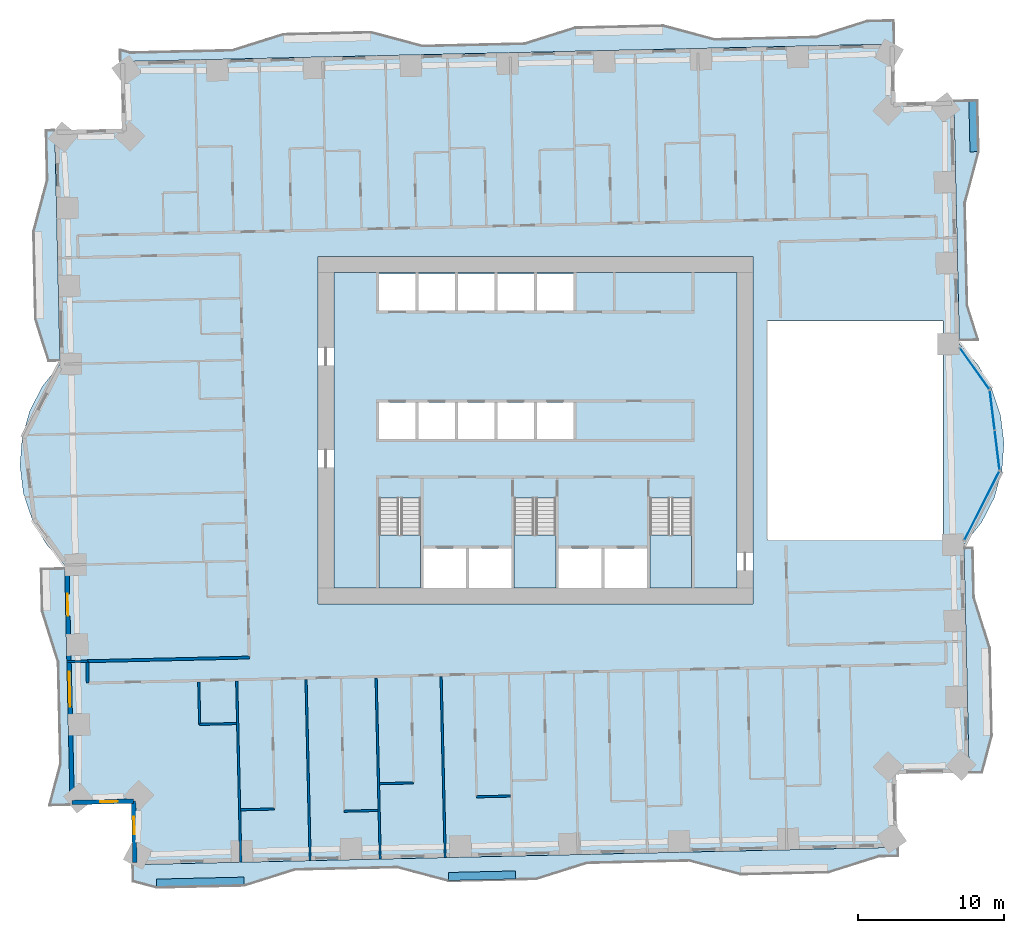
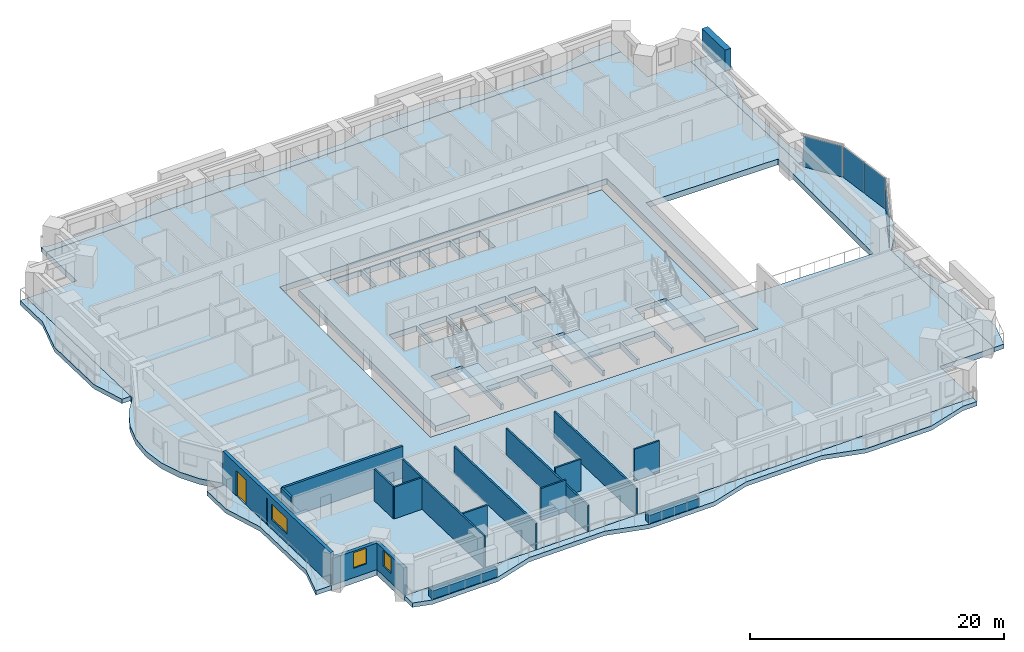
# One storey, part 4 of 16: 18 walls, 11 slabs, 4 plates, 3 windows, 1 door, 1 member, 4 openings, 6 elements without a shape of their own.
"""IFC4 building model written with IfcOpenShell, lengths in metres."""

from ifc_helpers import new_model, si_unit, direction, frame, frame_2d, origin, origin_2d, place, context, subcontext, project, spatial, polyline, rectangle, outline, extrude, material, layer, layer_set, material_profile, profile_set, type_object, element, fill, aggregate, save


model = new_model("IFC4")

# Units and contexts
model_context = context("Model", 3, precision=1e-05, world=origin(), true_north=direction((0.0, 1.0)))
body_context = subcontext(model_context, "Body", "Model", "MODEL_VIEW")
ifc_project = project(units=[si_unit("LENGTHUNIT", "METRE"), si_unit("AREAUNIT", "SQUARE_METRE"), si_unit("VOLUMEUNIT", "CUBIC_METRE"), si_unit("PLANEANGLEUNIT", "RADIAN"), si_unit("MASSUNIT", "GRAM", prefix="KILO")], contexts=[model_context])

# Site, building, storey
site_placement = place(None, origin())
site = spatial("IfcSite", under=ifc_project, at=site_placement, CompositionType="ELEMENT")
building_placement = place(site_placement, origin())
building = spatial("IfcBuilding", under=site, at=building_placement, Name="Mangrove Gate Tower", CompositionType="ELEMENT")
storey_placement = place(building_placement, frame((0.0, 0.0, 44.89990234375)))
storey = spatial("IfcBuildingStorey", under=building, at=storey_placement, Name="L10", CompositionType="ELEMENT", Elevation=44.89990234375)

# Member
ifc_material_1 = material(Name="Planting on aluminium trellis", Category="aluminium")
ifc_material_profile = material_profile(ifc_material_1, rectangle(XDim=0.550048828125, YDim=2.0, at=origin_2d()))
ifc_profile_set = profile_set([ifc_material_profile], Name="Planting on aluminium trellis")
member_type = type_object("IfcMemberType", Name="Balcony greenery screen 550x2000", PredefinedType="USERDEFINED", material=ifc_profile_set)
member_placement = place(storey_placement, frame((30.037109375, 19.072998046875, 1.800048828125), z_axis=(-0.022600979566, 0.999744565238, 0.0), x_axis=(-0.999744565238, -0.022600979566, 0.0)))
element("IfcMember", 1, at=member_placement, inside=storey, type_object=member_type, Name="GREEN SCREEN L10 E1.1", ObjectType="PLANTING", PredefinedType="USERDEFINED", context=body_context, shape_type="SweptSolid", body=[
    extrude(rectangle(XDim=0.550048828125, YDim=2.0, at=origin_2d()), origin(), (0.0, 0.0, 1.0), 3.5),
])

# Curtain wall, plate
ifc_material_2 = material(Name="Aluminium and glass curtain wall", Category="aluminium")
curtain_wall_type = type_object("IfcCurtainWallType", Name="Atrium garden-court glazing wall", PredefinedType="NOTDEFINED", material=ifc_material_2)
curtain_wall_1_placement = place(storey_placement, origin())
curtain_wall_1 = element("IfcCurtainWall", 2, at=curtain_wall_1_placement, inside=storey, type_object=curtain_wall_type, Name="Atrium garden-court glazing E1f1", PredefinedType="NOTDEFINED")
ifc_material_3 = material(Name="Laminated low-e glass", Category="glass")
ifc_layer_1 = layer(ifc_material_3, 0.031982421875)
ifc_layer_set_1 = layer_set([ifc_layer_1], Name="Atrium garden-court glazing panel 32")
plate_type = type_object("IfcPlateType", Name="Atrium garden-court glazing panel 32", PredefinedType="CURTAIN_PANEL", material=ifc_layer_set_1)
plate_1_placement = place(storey_placement, frame((30.573974609375, -5.1728515625, 0.0), z_axis=(0.0, 0.0, 1.0), x_axis=(0.452600233136, 0.89171353526, 0.0)))
plate_1 = element("IfcPlate", 3, at=plate_1_placement, type_object=plate_type, Name="CWA panel 1.1", PredefinedType="CURTAIN_PANEL", context=body_context, shape_type="SweptSolid", body=[
    extrude(rectangle(XDim=5.258056640625, YDim=0.031982421875, at=origin_2d()), origin(), (0.0, 0.0, 1.0), 2.97998046875),
])
aggregate(curtain_wall_1, [plate_1])

# Curtain wall, plates
curtain_wall_2_placement = place(storey_placement, origin())
curtain_wall_2 = element("IfcCurtainWall", 4, at=curtain_wall_2_placement, inside=storey, type_object=curtain_wall_type, Name="Atrium garden-court glazing E1f2", PredefinedType="NOTDEFINED")
plate_2_placement = place(storey_placement, frame((31.623291015625, -1.36572265625, 0.0), z_axis=(0.0, 0.0, 1.0), x_axis=(-0.122172285885, 0.992508908051, 0.0)))
plate_2 = element("IfcPlate", 5, at=plate_2_placement, type_object=plate_type, Name="CWA panel 1.1", PredefinedType="CURTAIN_PANEL", context=body_context, shape_type="SweptSolid", body=[
    extrude(rectangle(XDim=2.681640625, YDim=0.031982421875, at=origin_2d()), origin(), (0.0, 0.0, 1.0), 2.97998046875),
])
plate_3_placement = place(storey_placement, frame((31.287109375, 1.365478515625, 0.0), z_axis=(0.0, 0.0, 1.0), x_axis=(-0.122172285885, 0.992508908051, 0.0)))
plate_3 = element("IfcPlate", 6, at=plate_3_placement, type_object=plate_type, Name="CWA panel 2.1", PredefinedType="CURTAIN_PANEL", context=body_context, shape_type="SweptSolid", body=[
    extrude(rectangle(XDim=2.681640625, YDim=0.031982421875, at=origin_2d()), origin(), (0.0, 0.0, 1.0), 2.97998046875),
])
aggregate(curtain_wall_2, [plate_2, plate_3])

# Curtain wall, plate
curtain_wall_3_placement = place(storey_placement, origin())
curtain_wall_3 = element("IfcCurtainWall", 7, at=curtain_wall_3_placement, inside=storey, type_object=curtain_wall_type, Name="Atrium garden-court glazing E1f3", PredefinedType="NOTDEFINED")
plate_4_placement = place(storey_placement, frame((30.0830078125, 4.2216796875, 0.0), z_axis=(0.0, 0.0, 1.0), x_axis=(-0.578122631637, 0.815949889877, 0.0)))
plate_4 = element("IfcPlate", 8, at=plate_4_placement, type_object=plate_type, Name="CWA panel 1.1", PredefinedType="CURTAIN_PANEL", context=body_context, shape_type="SweptSolid", body=[
    extrude(rectangle(XDim=3.4287109375, YDim=0.031982421875, at=origin_2d()), origin(), (0.0, 0.0, 1.0), 2.97998046875),
])
aggregate(curtain_wall_3, [plate_4])

# Slabs
ifc_material_4 = material(Name="Porcelain tile")
ifc_layer_2 = layer(ifc_material_4, 0.02001953125, Name="Tile finish")
ifc_material_5 = material(Name="Cement sand screed")
ifc_layer_3 = layer(ifc_material_5, 0.0400390625, Name="Screed laid to falls")
ifc_material_6 = material(Name="Bituminous waterproofing membrane")
ifc_layer_4 = layer(ifc_material_6, 0.00390625, Name="Waterproofing")
ifc_material_7 = material(Name="Concrete C40/50", Category="concrete")
ifc_layer_5 = layer(ifc_material_7, 0.340087890625, Name="Balcony structural slab")
ifc_material_8 = material(Name="Limestone", Category="masonry")
ifc_layer_6 = layer(ifc_material_8, 0.01611328125, Name="Soffit lining")
ifc_layer_set_2 = layer_set([ifc_layer_2, ifc_layer_3, ifc_layer_4, ifc_layer_5, ifc_layer_6], Name="Balcony slab 420 C40/50")
slab_type_1 = type_object("IfcSlabType", Name="Balcony slab 420 C40/50", PredefinedType="FLOOR", material=ifc_layer_set_2)
slab_1_placement = place(storey_placement, frame((0.0, 0.0, -0.419921875)))
element("IfcSlab", 9, at=slab_1_placement, inside=storey, type_object=slab_type_1, Name="BALCONY L10 E0", PredefinedType="FLOOR", context=body_context, shape_type="SweptSolid", body=[
    extrude(outline(polyline([(30.6201171875, -23.425048828125), (31.2900390625, -20.908935546875), (31.154052734375, -14.909912109375), (30.056884765625, -11.43408203125), (29.98095703125, -8.06005859375), (29.35400390625, -8.074951171875), (29.429931640625, -11.448974609375), (29.510009765625, -14.947998046875), (29.64599609375, -20.946044921875), (29.702880859375, -23.445068359375), (30.6201171875, -23.425048828125)])), origin(), (0.0, 0.0, 1.0), 0.419921875),
])
slab_2_placement = place(storey_placement, frame((0.0, 0.0, -0.419921875)))
element("IfcSlab", 10, at=slab_2_placement, inside=storey, type_object=slab_type_1, Name="BALCONY L10 E1", PredefinedType="FLOOR", context=body_context, shape_type="SweptSolid", body=[
    extrude(outline(polyline([(30.346923828125, 6.201904296875), (29.60302734375, 8.56103515625), (29.445068359375, 15.55908203125), (30.382080078125, 19.0810546875), (30.302978515625, 22.580078125), (28.658935546875, 22.54296875), (28.738037109375, 19.0439453125), (28.818115234375, 15.544921875), (28.97705078125, 8.5458984375), (29.030029296875, 6.172119140625), (30.346923828125, 6.201904296875)])), origin(), (0.0, 0.0, 1.0), 0.419921875),
])
slab_3_placement = place(storey_placement, frame((0.0, 0.0, -0.419921875)))
element("IfcSlab", 11, at=slab_3_placement, inside=storey, type_object=slab_type_1, Name="BALCONY L10 N0", PredefinedType="FLOOR", context=body_context, shape_type="SweptSolid", body=[
    extrude(outline(polyline([(24.531982421875, 28.094970703125), (22.73193359375, 28.053955078125), (19.256103515625, 26.9580078125), (12.258056640625, 26.799072265625), (8.736083984375, 27.737060546875), (2.738037109375, 27.60009765625), (-0.739013671875, 26.50390625), (-7.737060546875, 26.345947265625), (-11.259033203125, 27.282958984375), (-17.257080078125, 27.14697265625), (-20.73291015625, 26.050048828125), (-27.73193359375, 25.89208984375), (-28.43603515625, 26.0791015625), (-28.4169921875, 25.2490234375), (-27.717041015625, 25.263916015625), (24.569091796875, 26.450927734375), (24.531982421875, 28.094970703125)])), origin(), (0.0, 0.0, 1.0), 0.419921875),
])
slab_4_placement = place(storey_placement, frame((0.0, 0.0, -0.419921875)))
element("IfcSlab", 12, at=slab_4_placement, inside=storey, type_object=slab_type_1, Name="BALCONY L10 W0", PredefinedType="FLOOR", context=body_context, shape_type="SweptSolid", body=[
    extrude(outline(polyline([(-33.5380859375, 20.531005859375), (-33.4609375, 17.132080078125), (-34.39892578125, 13.610107421875), (-34.262939453125, 7.611083984375), (-33.362060546875, 4.756103515625), (-32.553955078125, 4.77490234375), (-32.618896484375, 7.64892578125), (-32.7548828125, 13.64697265625), (-32.833984375, 17.14599609375), (-32.912109375, 20.544921875), (-33.5380859375, 20.531005859375)])), origin(), (0.0, 0.0, 1.0), 0.419921875),
])
slab_5_placement = place(storey_placement, frame((0.0, 0.0, -0.419921875)))
element("IfcSlab", 13, at=slab_5_placement, inside=storey, type_object=slab_type_1, Name="BALCONY L10 W1", PredefinedType="FLOOR", context=body_context, shape_type="SweptSolid", body=[
    extrude(outline(polyline([(-33.8740234375, -9.510009765625), (-33.80908203125, -12.384033203125), (-32.712890625, -15.860107421875), (-32.553955078125, -22.85791015625), (-33.303955078125, -25.675048828125), (-31.863037109375, -25.64306640625), (-31.927001953125, -22.843017578125), (-32.0859375, -15.844970703125), (-32.1650390625, -12.345947265625), (-32.22998046875, -9.471923828125), (-33.8740234375, -9.510009765625)])), origin(), (0.0, 0.0, 1.0), 0.419921875),
])
slab_6_placement = place(storey_placement, frame((0.0, 0.0, -0.419921875)))
element("IfcSlab", 14, at=slab_6_placement, inside=storey, type_object=slab_type_1, Name="BALCONY L10 S0", PredefinedType="FLOOR", context=body_context, shape_type="SweptSolid", body=[
    extrude(outline(polyline([(-27.5419921875, -30.925048828125), (-25.931884765625, -31.35400390625), (-19.93408203125, -31.218017578125), (-16.4580078125, -30.12109375), (-9.4599609375, -29.962890625), (-5.93798828125, -30.89990234375), (0.06103515625, -30.763916015625), (3.537109375, -29.66796875), (10.534912109375, -29.510009765625), (14.056884765625, -30.447021484375), (20.055908203125, -30.31103515625), (23.531982421875, -29.214111328125), (24.8310546875, -29.18408203125), (24.81689453125, -28.55810546875), (20.01806640625, -28.666015625), (-27.569091796875, -29.74609375), (-27.5419921875, -30.925048828125)])), origin(), (0.0, 0.0, 1.0), 0.419921875),
])
ifc_material_9 = material(Name="Concrete C40/50", Category="concrete")
ifc_layer_7 = layer(ifc_material_9, 0.550048828125)
ifc_layer_set_3 = layer_set([ifc_layer_7], Name="Core floor slab 550 C40/50")
slab_type_2 = type_object("IfcSlabType", Name="Core floor slab 550 C40/50", PredefinedType="FLOOR", material=ifc_layer_set_3)
slab_7_placement = place(storey_placement, frame((0.0, 0.0, -0.5498046875)))
element("IfcSlab", 15, at=slab_7_placement, inside=storey, type_object=slab_type_2, Name="SLAB-L10-CORE-1", PredefinedType="FLOOR", context=body_context, shape_type="SweptSolid", body=[
    extrude(outline(polyline([(-13.800048828125, -10.800048828125), (-13.800048828125, 10.800048828125), (13.800048828125, 10.800048828125), (13.800048828125, -10.800048828125), (10.699951171875, -10.800048828125), (10.699951171875, -4.653076171875), (7.85009765625, -4.653076171875), (7.85009765625, -10.800048828125), (7.64990234375, -10.800048828125), (7.64990234375, -8.10009765625), (4.72509765625, -8.10009765625), (4.72509765625, -10.800048828125), (4.52490234375, -10.800048828125), (4.52490234375, -8.10009765625), (1.60009765625, -8.10009765625), (1.60009765625, -10.800048828125), (1.39990234375, -10.800048828125), (1.39990234375, -4.653076171875), (-1.449951171875, -4.653076171875), (-1.449951171875, -10.800048828125), (-1.64990234375, -10.800048828125), (-1.64990234375, -8.10009765625), (-4.550048828125, -8.10009765625), (-4.550048828125, -10.800048828125), (-4.75, -10.800048828125), (-4.75, -8.10009765625), (-7.64990234375, -8.10009765625), (-7.64990234375, -10.800048828125), (-7.85009765625, -10.800048828125), (-7.85009765625, -4.653076171875), (-10.699951171875, -4.653076171875), (-10.699951171875, -10.800048828125), (-13.800048828125, -10.800048828125)]), holes=[polyline([(-8.199951171875, -0.60009765625), (-8.199951171875, 1.89990234375), (-10.699951171875, 1.89990234375), (-10.699951171875, -0.60009765625), (-8.199951171875, -0.60009765625)]), polyline([(-5.5, -0.60009765625), (-5.5, 1.89990234375), (-8.0, 1.89990234375), (-8.0, -0.60009765625), (-5.5, -0.60009765625)]), polyline([(-2.800048828125, -0.60009765625), (-2.800048828125, 1.89990234375), (-5.300048828125, 1.89990234375), (-5.300048828125, -0.60009765625), (-2.800048828125, -0.60009765625)]), polyline([(-8.199951171875, 8.199951171875), (-8.199951171875, 10.699951171875), (-10.699951171875, 10.699951171875), (-10.699951171875, 8.199951171875), (-8.199951171875, 8.199951171875)]), polyline([(-5.5, 8.199951171875), (-5.5, 10.699951171875), (-8.0, 10.699951171875), (-8.0, 8.199951171875), (-5.5, 8.199951171875)]), polyline([(-2.800048828125, 8.199951171875), (-2.800048828125, 10.699951171875), (-5.300048828125, 10.699951171875), (-5.300048828125, 8.199951171875), (-2.800048828125, 8.199951171875)]), polyline([(-0.10009765625, -0.60009765625), (-0.10009765625, 1.89990234375), (-2.60009765625, 1.89990234375), (-2.60009765625, -0.60009765625), (-0.10009765625, -0.60009765625)]), polyline([(2.60009765625, -0.60009765625), (2.60009765625, 1.89990234375), (0.10009765625, 1.89990234375), (0.10009765625, -0.60009765625), (2.60009765625, -0.60009765625)]), polyline([(-2.60009765625, 8.199951171875), (-0.10009765625, 8.199951171875), (-0.10009765625, 10.699951171875), (-2.60009765625, 10.699951171875), (-2.60009765625, 8.199951171875)]), polyline([(0.10009765625, 8.199951171875), (2.60009765625, 8.199951171875), (2.60009765625, 10.699951171875), (0.10009765625, 10.699951171875), (0.10009765625, 8.199951171875)])]), origin(), (0.0, 0.0, 1.0), 0.5498046875),
])

# Stair, slab
ifc_material_10 = material(Name="Concrete C40/50", Category="concrete")
stair_type = type_object("IfcStairType", Name="Core stair 1350", PredefinedType="HALF_TURN_STAIR", material=ifc_material_10)
stair_1_placement = place(storey_placement, origin())
stair_1 = element("IfcStair", 16, at=stair_1_placement, inside=storey, type_object=stair_type, Name="L10 Stair 1", PredefinedType="HALF_TURN_STAIR")
ifc_material_11 = material(Name="Concrete C40/50", Category="concrete")
ifc_layer_8 = layer(ifc_material_11, 0.199951171875)
ifc_layer_set_4 = layer_set([ifc_layer_8], Name="Core stair landing 200")
slab_type_3 = type_object("IfcSlabType", Name="Core stair landing 200", PredefinedType="LANDING", material=ifc_layer_set_4)
slab_8_placement = place(storey_placement, frame((0.0, 0.0, 1.60009765625)))
slab_8 = element("IfcSlab", 17, at=slab_8_placement, type_object=slab_type_3, Name="ST1 landing 1", PredefinedType="LANDING", context=body_context, shape_type="SweptSolid", body=[
    extrude(outline(polyline([(-10.699951171875, -7.169921875), (-10.699951171875, -10.800048828125), (-7.85009765625, -10.800048828125), (-7.85009765625, -7.169921875), (-10.699951171875, -7.169921875)])), origin(), (0.0, 0.0, 1.0), 0.199951171875),
])
aggregate(stair_1, [slab_8])

stair_2_placement = place(storey_placement, origin())
stair_2 = element("IfcStair", 18, at=stair_2_placement, inside=storey, type_object=stair_type, Name="L10 Stair 2", PredefinedType="HALF_TURN_STAIR")
slab_9_placement = place(storey_placement, frame((0.0, 0.0, 1.60009765625)))
slab_9 = element("IfcSlab", 19, at=slab_9_placement, type_object=slab_type_3, Name="ST2 landing 1", PredefinedType="LANDING", context=body_context, shape_type="SweptSolid", body=[
    extrude(outline(polyline([(-1.449951171875, -7.169921875), (-1.449951171875, -10.800048828125), (1.39990234375, -10.800048828125), (1.39990234375, -7.169921875), (-1.449951171875, -7.169921875)])), origin(), (0.0, 0.0, 1.0), 0.199951171875),
])
aggregate(stair_2, [slab_9])

stair_3_placement = place(storey_placement, origin())
stair_3 = element("IfcStair", 20, at=stair_3_placement, inside=storey, type_object=stair_type, Name="L10 Stair 3", PredefinedType="HALF_TURN_STAIR")
slab_10_placement = place(storey_placement, frame((0.0, 0.0, 1.60009765625)))
slab_10 = element("IfcSlab", 21, at=slab_10_placement, type_object=slab_type_3, Name="ST3 landing 1", PredefinedType="LANDING", context=body_context, shape_type="SweptSolid", body=[
    extrude(outline(polyline([(7.85009765625, -7.169921875), (7.85009765625, -10.800048828125), (10.699951171875, -10.800048828125), (10.699951171875, -7.169921875), (7.85009765625, -7.169921875)])), origin(), (0.0, 0.0, 1.0), 0.199951171875),
])
aggregate(stair_3, [slab_10])

# Slab
ifc_material_12 = material(Name="Concrete C40/50", Category="concrete")
ifc_layer_9 = layer(ifc_material_12, 0.550048828125)
ifc_layer_set_5 = layer_set([ifc_layer_9], Name="Floor slab 550 C40/50")
slab_type_4 = type_object("IfcSlabType", Name="Floor slab 550 C40/50", PredefinedType="FLOOR", material=ifc_layer_set_5)
slab_11_placement = place(storey_placement, frame((0.0, 0.0, -0.5498046875)))
element("IfcSlab", 22, at=slab_11_placement, inside=storey, type_object=slab_type_4, Name="Floor slab L10", PredefinedType="FLOOR", context=body_context, shape_type="SweptSolid", body=[
    extrude(outline(polyline([(-27.5693359375, -29.746337890625), (24.8173828125, -28.5576171875), (24.703857421875, -23.558837890625), (29.70263671875, -23.445556640625), (29.34814453125, -7.82470703125), (30.544677734375, -6.33251953125), (31.42138671875, -4.632568359375), (31.944091796875, -2.79248046875), (32.09130859375, -0.885498046875), (31.857666015625, 1.012939453125), (31.252197265625, 2.827392578125), (30.299072265625, 4.48583984375), (29.0361328125, 5.92236328125), (28.658935546875, 22.542724609375), (24.659912109375, 22.451904296875), (24.569091796875, 26.450927734375), (-28.417236328125, 25.24853515625), (-28.312744140625, 20.649658203125), (-32.91162109375, 20.54541015625), (-32.548095703125, 4.524658203125), (-33.74462890625, 3.032470703125), (-34.62158203125, 1.33251953125), (-35.14404296875, -0.507568359375), (-35.291259765625, -2.41455078125), (-35.0576171875, -4.31298828125), (-34.4521484375, -6.12744140625), (-33.4990234375, -7.785888671875), (-32.236083984375, -9.222412109375), (-31.863525390625, -25.642822265625), (-27.66455078125, -25.547607421875), (-27.5693359375, -29.746337890625)]), holes=[polyline([(15.89990234375, 7.5), (27.922119140625, 7.5), (27.922119140625, -7.5), (15.89990234375, -7.5), (15.89990234375, 7.5)]), polyline([(-14.89990234375, -11.89990234375), (-14.89990234375, 11.89990234375), (14.89990234375, 11.89990234375), (14.89990234375, -11.89990234375), (-14.89990234375, -11.89990234375)])]), origin(), (0.0, 0.0, 1.0), 0.5498046875),
])

# Walls
ifc_material_13 = material(Name="Gypsum board on steel stud, EI 60", Category="steel")
ifc_layer_10 = layer(ifc_material_13, 0.199951171875)
ifc_layer_set_6 = layer_set([ifc_layer_10], Name="Corridor wall EI 60")
wall_type_1 = type_object("IfcWallType", Name="Corridor wall EI 60", PredefinedType="PARTITIONING", material=ifc_layer_set_6)
wall_1_placement = place(storey_placement, frame((-30.652099609375, -17.31298828125, 0.0), z_axis=(0.0, 0.0, 1.0), x_axis=(-0.022632637625, 0.99974384905, 0.0)))
element("IfcWall", 23, at=wall_1_placement, inside=storey, type_object=wall_type_1, Name="WALL-L10-032", PredefinedType="PARTITIONING", context=body_context, shape_type="SweptSolid", body=[
    extrude(rectangle(XDim=1.49951171875, YDim=0.199951171875, at=frame_2d((0.749755859375, 0.0))), origin(), (0.0, 0.0, 1.0), 3.050048828125),
])
wall_2_placement = place(storey_placement, frame((-30.68603515625, -15.81396484375, 0.0), z_axis=(0.0, 0.0, 1.0), x_axis=(0.999742346277, 0.022698921993, 0.0)))
element("IfcWall", 24, at=wall_2_placement, inside=storey, type_object=wall_type_1, Name="WALL-L10-035", PredefinedType="PARTITIONING", context=body_context, shape_type="SweptSolid", body=[
    extrude(rectangle(XDim=11.099853515625, YDim=0.199951171875, at=frame_2d((5.5498046875, 0.0))), origin(), (0.0, 0.0, 1.0), 3.050048828125),
])

# Wall, openings, door, window
ifc_layer_11 = layer(ifc_material_8, 0.0400390625, Name="Limestone cladding")
ifc_material_14 = material(Name="Ventilated air gap")
ifc_layer_12 = layer(ifc_material_14, 0.0400390625, Name="Ventilated cavity")
ifc_material_15 = material(Name="Mineral wool insulation")
ifc_layer_13 = layer(ifc_material_15, 0.06005859375, Name="Insulation")
ifc_material_16 = material(Name="Breather membrane")
ifc_layer_14 = layer(ifc_material_16, 0.001953125, Name="Breather membrane")
ifc_material_17 = material(Name="Concrete C20/25 blockwork", Category="masonry")
ifc_layer_15 = layer(ifc_material_17, 0.14990234375, Name="Blockwork backing wall")
ifc_material_18 = material(Name="Gypsum plaster")
ifc_layer_16 = layer(ifc_material_18, 0.008056640625, Name="Internal plaster")
ifc_layer_set_7 = layer_set([ifc_layer_11, ifc_layer_12, ifc_layer_13, ifc_layer_14, ifc_layer_15, ifc_layer_16], Name="External wall 300 limestone cladding")
wall_type_2 = type_object("IfcWallType", Name="External wall 300 limestone cladding", PredefinedType="SOLIDWALL", material=ifc_layer_set_7)
wall_3_placement = place(storey_placement, frame((-32.0869140625, -9.1640625, 0.0), z_axis=(0.0, 0.0, 1.0), x_axis=(0.022651102902, -0.999743430855, 0.0)))
wall_3 = element("IfcWall", 25, at=wall_3_placement, inside=storey, type_object=wall_type_2, Name="WALL-L10-W10", PredefinedType="SOLIDWALL", context=body_context, shape_type="SweptSolid", body=[
    extrude(rectangle(XDim=16.3291015625, YDim=0.300048828125, at=frame_2d((8.16455078125, 0.0))), origin(), (0.0, 0.0, 1.0), 3.050048828125),
])
opening_1_placement = place(wall_3_placement, frame((2.0419921875, 0.0, 0.0)))
opening_1 = element("IfcOpeningElement", 26, at=opening_1_placement, cuts=wall_3, Name="Opening BD1", PredefinedType="OPENING", context=body_context, shape_type="SweptSolid", body=[
    extrude(rectangle(XDim=1.5, YDim=2.39990234375, at=frame_2d((0.75, 1.199951171875))), frame((0.0, 0.159912109375, 0.0), z_axis=(0.0, -1.0, 0.0), x_axis=(1.0, 0.0, 0.0)), (0.0, 0.0, 1.0), 0.320068359375),
])
opening_2_placement = place(wall_3_placement, frame((7.366943359375, 0.0, 0.89990234375)))
opening_2 = element("IfcOpeningElement", 27, at=opening_2_placement, cuts=wall_3, Name="Opening W2", PredefinedType="OPENING", context=body_context, shape_type="SweptSolid", body=[
    extrude(rectangle(XDim=2.39990234375, YDim=1.5, at=frame_2d((1.199951171875, 0.75))), frame((0.0, 0.159912109375, 0.0), z_axis=(0.0, -1.0, 0.0), x_axis=(1.0, 0.0, 0.0)), (0.0, 0.0, 1.0), 0.320068359375),
])
ifc_material_19 = material(Name="Aluminium frame with laminated clear glass", Category="aluminium")
door_type = type_object("IfcDoorType", Name="Balcony sliding door 1500x2400", OperationType="SLIDING_TO_LEFT", PredefinedType="DOOR", material=ifc_material_19)
door_placement = place(opening_1_placement, origin())
door = element("IfcDoor", 28, at=door_placement, inside=storey, type_object=door_type, Name="DOOR-L10-W10-1", OperationType="SLIDING_TO_LEFT", OverallHeight=2.39990234375, OverallWidth=1.5, PredefinedType="DOOR", context=body_context, shape_type="SweptSolid", body=[
    extrude(rectangle(XDim=1.5, YDim=2.39990234375, at=frame_2d((0.75, 1.199951171875))), frame((0.0, 0.02490234375, 0.0), z_axis=(0.0, -1.0, 0.0), x_axis=(1.0, 0.0, 0.0)), (0.0, 0.0, 1.0), 0.050048828125),
])
fill(opening_1, door)
ifc_material_20 = material(Name="Aluminium frame with double-glazed low-e glass", Category="aluminium")
window_type_1 = type_object("IfcWindowType", Name="Corner room window 2400x1500", PartitioningType="DOUBLE_PANEL_VERTICAL", PredefinedType="WINDOW", material=ifc_material_20)
window_1_placement = place(opening_2_placement, origin())
window_1 = element("IfcWindow", 29, at=window_1_placement, inside=storey, type_object=window_type_1, Name="WIN-L10-W10-2", OverallHeight=1.5, OverallWidth=2.39990234375, PartitioningType="DOUBLE_PANEL_VERTICAL", PredefinedType="WINDOW", context=body_context, shape_type="SweptSolid", body=[
    extrude(rectangle(XDim=2.39990234375, YDim=1.5, at=frame_2d((1.199951171875, 0.75))), frame((0.0, 0.030029296875, 0.0), z_axis=(0.0, -1.0, 0.0), x_axis=(1.0, 0.0, 0.0)), (0.0, 0.0, 1.0), 0.06005859375),
])
fill(opening_2, window_1)

# Wall, opening, window
wall_4_placement = place(storey_placement, frame((-31.717041015625, -25.489013671875, 0.0), z_axis=(0.0, 0.0, 1.0), x_axis=(0.999744320311, 0.022611811187, 0.0)))
wall_4 = element("IfcWall", 30, at=wall_4_placement, inside=storey, type_object=wall_type_2, Name="WALL-L10-S11", PredefinedType="SOLIDWALL", context=body_context, shape_type="SweptSolid", body=[
    extrude(rectangle(XDim=4.199951171875, YDim=0.300048828125, at=frame_2d((2.10009765625, 0.0))), origin(), (0.0, 0.0, 1.0), 2.550048828125),
])
opening_3_placement = place(wall_4_placement, frame((1.907958984375, 0.0, 0.89990234375)))
opening_3 = element("IfcOpeningElement", 31, at=opening_3_placement, cuts=wall_4, Name="Opening W1", PredefinedType="OPENING", context=body_context, shape_type="SweptSolid", body=[
    extrude(rectangle(XDim=1.199951171875, YDim=1.5, at=frame_2d((0.60009765625, 0.75))), frame((0.0, 0.159912109375, 0.0), z_axis=(0.0, -1.0, 0.0), x_axis=(1.0, 0.0, 0.0)), (0.0, 0.0, 1.0), 0.320068359375),
])
ifc_material_21 = material(Name="Aluminium frame with double-glazed low-e glass", Category="aluminium")
window_type_2 = type_object("IfcWindowType", Name="Side lite 1200x1500", PartitioningType="SINGLE_PANEL", PredefinedType="WINDOW", material=ifc_material_21)
window_2_placement = place(opening_3_placement, origin())
window_2 = element("IfcWindow", 32, at=window_2_placement, inside=storey, type_object=window_type_2, Name="WIN-L10-S11-1", OverallHeight=1.5, OverallWidth=1.199951171875, PartitioningType="SINGLE_PANEL", PredefinedType="WINDOW", context=body_context, shape_type="SweptSolid", body=[
    extrude(rectangle(XDim=1.199951171875, YDim=1.5, at=frame_2d((0.60009765625, 0.75))), frame((0.0, 0.030029296875, 0.0), z_axis=(0.0, -1.0, 0.0), x_axis=(1.0, 0.0, 0.0)), (0.0, 0.0, 1.0), 0.06005859375),
])
fill(opening_3, window_2)

wall_5_placement = place(storey_placement, frame((-27.51806640625, -25.39404296875, 0.0), z_axis=(0.0, 0.0, 1.0), x_axis=(0.022611811187, -0.999744320311, 0.0)))
wall_5 = element("IfcWall", 33, at=wall_5_placement, inside=storey, type_object=wall_type_2, Name="WALL-L10-W12", PredefinedType="SOLIDWALL", context=body_context, shape_type="SweptSolid", body=[
    extrude(rectangle(XDim=4.199951171875, YDim=0.300048828125, at=frame_2d((2.10009765625, 0.0))), origin(), (0.0, 0.0, 1.0), 2.550048828125),
])
opening_4_placement = place(wall_5_placement, frame((1.076904296875, 0.0, 0.89990234375)))
opening_4 = element("IfcOpeningElement", 34, at=opening_4_placement, cuts=wall_5, Name="Opening W1", PredefinedType="OPENING", context=body_context, shape_type="SweptSolid", body=[
    extrude(rectangle(XDim=1.199951171875, YDim=1.5, at=frame_2d((0.60009765625, 0.75))), frame((0.0, 0.159912109375, 0.0), z_axis=(0.0, -1.0, 0.0), x_axis=(1.0, 0.0, 0.0)), (0.0, 0.0, 1.0), 0.320068359375),
])
window_3_placement = place(opening_4_placement, origin())
window_3 = element("IfcWindow", 35, at=window_3_placement, inside=storey, type_object=window_type_2, Name="WIN-L10-W12-1", OverallHeight=1.5, OverallWidth=1.199951171875, PartitioningType="SINGLE_PANEL", PredefinedType="WINDOW", context=body_context, shape_type="SweptSolid", body=[
    extrude(rectangle(XDim=1.199951171875, YDim=1.5, at=frame_2d((0.60009765625, 0.75))), frame((0.0, 0.030029296875, 0.0), z_axis=(0.0, -1.0, 0.0), x_axis=(1.0, 0.0, 0.0)), (0.0, 0.0, 1.0), 0.06005859375),
])
fill(opening_4, window_3)

# Walls
ifc_material_22 = material(Name="Gypsum board on steel stud, EI 60", Category="steel")
ifc_layer_17 = layer(ifc_material_22, 0.14990234375)
ifc_layer_set_8 = layer_set([ifc_layer_17], Name="Party wall 150 EI 60")
wall_type_3 = type_object("IfcWallType", Name="Party wall 150 EI 60", PredefinedType="PARTITIONING", material=ifc_layer_set_8)
wall_6_placement = place(storey_placement, frame((-20.1708984375, -29.5791015625, 0.0), z_axis=(0.0, 0.0, 1.0), x_axis=(-0.022661029756, 0.999743205894, 0.0)))
element("IfcWall", 36, at=wall_6_placement, inside=storey, type_object=wall_type_3, Name="WALL-L10-001", PredefinedType="PARTITIONING", context=body_context, shape_type="SweptSolid", body=[
    extrude(rectangle(XDim=12.400390625, YDim=0.14990234375, at=frame_2d((6.2001953125, 0.0))), origin(), (0.0, 0.0, 1.0), 3.050048828125),
])
for number, where, z_axis, x_axis, name in (
    (37, (-15.422119140625, -29.470947265625, 0.0), (0.0, 0.0, 1.0), (-0.022740189192, 0.999741408463, 0.0), "WALL-L10-002"),
    (38, (-10.6240234375, -29.362060546875, 0.0), (0.0, 0.0, 1.0), (-0.022661475803, 0.999743195783, 0.0), "WALL-L10-003"),
    (39, (-6.175048828125, -29.260986328125, 0.0), (0.0, 0.0, 1.0), (-0.022661475803, 0.999743195783, 0.0), "WALL-L10-004"),
):
    element("IfcWall", number, at=place(storey_placement, frame(where, z_axis=z_axis, x_axis=x_axis)), inside=storey, type_object=wall_type_3, Name=name, PredefinedType="PARTITIONING", context=body_context, shape_type="SweptSolid", body=[
        extrude(rectangle(XDim=12.400146484375, YDim=0.14990234375, at=frame_2d((6.2001953125, 0.0))), origin(), (0.0, 0.0, 1.0), 2.550048828125),
    ])
wall_7_placement = place(storey_placement, frame((-13.09912109375, -26.0869140625, 0.0), z_axis=(0.0, 0.0, 1.0), x_axis=(0.99974053329, 0.022778632478, 0.0)))
element("IfcWall", 40, at=wall_7_placement, inside=storey, type_object=wall_type_3, Name="WALL-L10-013", PredefinedType="PARTITIONING", context=body_context, shape_type="SweptSolid", body=[
    extrude(rectangle(XDim=2.32568359375, YDim=0.14990234375, at=frame_2d((1.162841796875, 0.0))), origin(), (0.0, 0.0, 1.0), 3.050048828125),
])
for number, where, z_axis, x_axis, name in (
    (41, (-20.177978515625, -25.988037109375, 0.0), (0.0, 0.0, 1.0), (0.999740478815, 0.022781023197, 0.0), "WALL-L10-015"),
    (42, (-4.01904296875, -25.10107421875, 0.0), (0.0, 0.0, 1.0), (0.999740478815, 0.022781023197, 0.0), "WALL-L10-019"),
    (43, (-10.666015625, -24.200927734375, 0.0), (0.0, 0.0, 1.0), (0.999749954681, 0.022361308448, 0.0), "WALL-L10-025"),
):
    element("IfcWall", number, at=place(storey_placement, frame(where, z_axis=z_axis, x_axis=x_axis)), inside=storey, type_object=wall_type_3, Name=name, PredefinedType="PARTITIONING", context=body_context, shape_type="SweptSolid", body=[
        extrude(rectangle(XDim=2.325439453125, YDim=0.14990234375, at=frame_2d((1.16259765625, 0.0))), origin(), (0.0, 0.0, 1.0), 3.050048828125),
    ])
wall_8_placement = place(storey_placement, frame((-22.986083984375, -20.139892578125, 0.0), z_axis=(0.0, 0.0, 1.0), x_axis=(0.999746160391, 0.022530308093, 0.0)))
element("IfcWall", 44, at=wall_8_placement, inside=storey, type_object=wall_type_3, Name="WALL-L10-029", PredefinedType="PARTITIONING", context=body_context, shape_type="SweptSolid", body=[
    extrude(rectangle(XDim=2.52490234375, YDim=0.14990234375, at=frame_2d((1.262451171875, 0.0))), origin(), (0.0, 0.0, 1.0), 3.050048828125),
])
wall_9_placement = place(storey_placement, frame((-22.986083984375, -20.139892578125, 0.0), z_axis=(0.0, 0.0, 1.0), x_axis=(-0.022732880677, 0.999741574676, 0.0)))
element("IfcWall", 45, at=wall_9_placement, inside=storey, type_object=wall_type_3, Name="WALL-L10-030", PredefinedType="PARTITIONING", context=body_context, shape_type="SweptSolid", body=[
    extrude(rectangle(XDim=2.899658203125, YDim=0.14990234375, at=frame_2d((1.44970703125, 0.0))), origin(), (0.0, 0.0, 1.0), 3.050048828125),
])
wall_10_placement = place(storey_placement, frame((-32.0859375, -15.844970703125, 0.0), z_axis=(0.0, 0.0, 1.0), x_axis=(0.999754810245, 0.022143156767, 0.0)))
element("IfcWall", 46, at=wall_10_placement, inside=storey, type_object=wall_type_3, Name="WALL-L10-034", PredefinedType="PARTITIONING", context=body_context, shape_type="SweptSolid", body=[
    extrude(rectangle(XDim=1.400146484375, YDim=0.14990234375, at=frame_2d((0.7001953125, 0.0))), origin(), (0.0, 0.0, 1.0), 2.550048828125),
])
ifc_material_23 = material(Name="Concrete C32/40", Category="concrete")
ifc_layer_18 = layer(ifc_material_23, 0.199951171875, Name="Planter trough wall")
ifc_layer_19 = layer(ifc_material_6, 0.0048828125, Name="Waterproofing")
ifc_material_24 = material(Name="Drainage board and gravel")
ifc_layer_20 = layer(ifc_material_24, 0.044921875, Name="Drainage layer")
ifc_material_25 = material(Name="Planting soil")
ifc_layer_21 = layer(ifc_material_25, 0.300048828125, Name="Growing medium")
ifc_layer_set_9 = layer_set([ifc_layer_18, ifc_layer_19, ifc_layer_20, ifc_layer_21], Name="Planter wall 550 C32/40")
wall_type_4 = type_object("IfcWallType", Name="Planter wall 550 C32/40", PredefinedType="USERDEFINED", material=ifc_layer_set_9)
wall_11_placement = place(storey_placement, frame((-25.94091796875, -31.009033203125, 0.0), z_axis=(0.0, 0.0, 1.0), x_axis=(0.999743178102, 0.022662255828, 0.0)))
element("IfcWall", 47, at=wall_11_placement, inside=storey, type_object=wall_type_4, Name="PLANTER L10 S0.1", ObjectType="PLANTER", PredefinedType="USERDEFINED", context=body_context, shape_type="SweptSolid", body=[
    extrude(rectangle(XDim=6.00048828125, YDim=0.550048828125, at=frame_2d((3.000244140625, 0.0))), origin(), (0.0, 0.0, 1.0), 0.800048828125),
])
wall_12_placement = place(storey_placement, frame((-5.946044921875, -30.555908203125, 0.0), z_axis=(0.0, 0.0, 1.0), x_axis=(0.999739584003, 0.022820258049, 0.0)))
element("IfcWall", 48, at=wall_12_placement, inside=storey, type_object=wall_type_4, Name="PLANTER L10 S0.2", ObjectType="PLANTER", PredefinedType="USERDEFINED", context=body_context, shape_type="SweptSolid", body=[
    extrude(rectangle(XDim=4.600341796875, YDim=0.550048828125, at=frame_2d((2.30029296875, 0.0))), origin(), (0.0, 0.0, 1.0), 0.800048828125),
])

save(model, "model.ifc")
